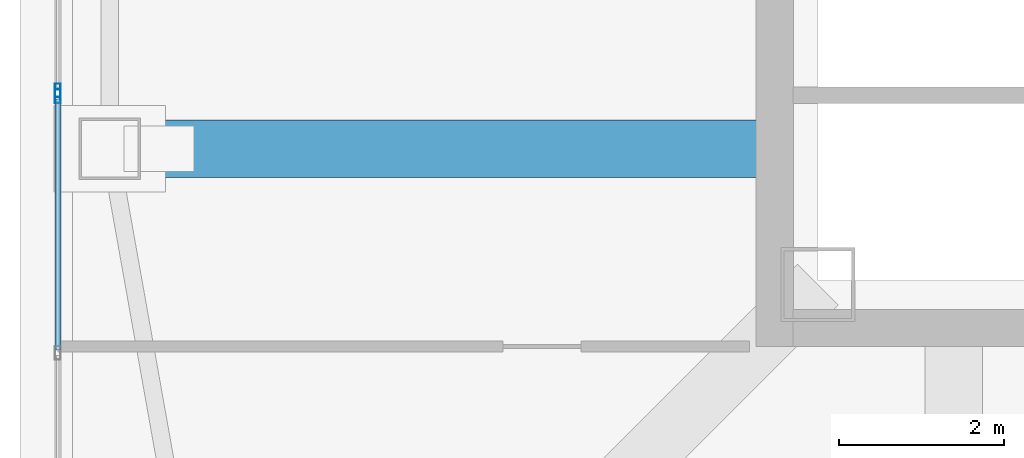
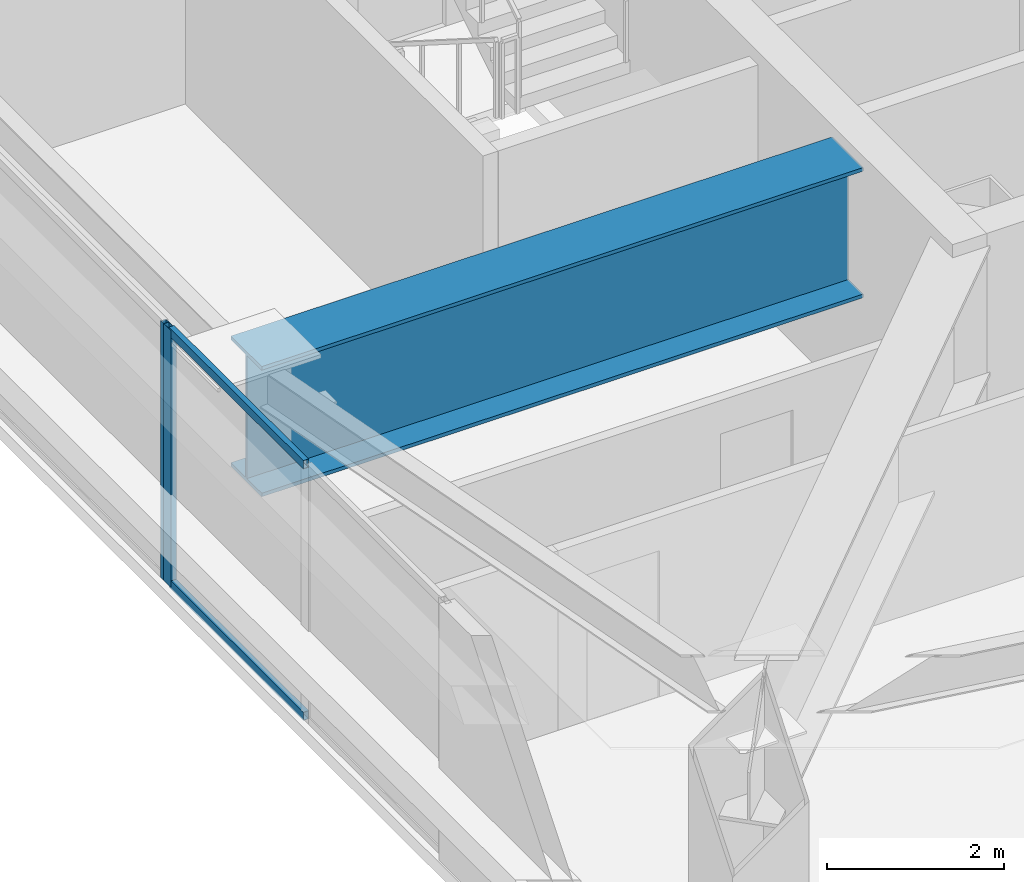
# One storey, part 4 of 40: 4 members, 1 beam, 2 elements without a shape of their own.
"""IFC4 building model written with IfcOpenShell, lengths in metres."""

from ifc_helpers import new_model, si_unit, direction, frame, origin, origin_2d, place, context, subcontext, project, spatial, hollow_rectangle, i_section, extrude, material, material_profile, profile_set, type_object, element, aggregate, save


model = new_model("IFC4")

# Units and contexts
model_context = context("Model", 3, precision=1e-05, world=origin(), true_north=direction((0.0, 1.0)))
body_context = subcontext(model_context, "Body", "Model", "MODEL_VIEW")
ifc_project = project(units=[si_unit("LENGTHUNIT", "METRE"), si_unit("AREAUNIT", "SQUARE_METRE"), si_unit("VOLUMEUNIT", "CUBIC_METRE"), si_unit("PLANEANGLEUNIT", "RADIAN"), si_unit("MASSUNIT", "GRAM", prefix="KILO")], contexts=[model_context])

# Site, building, storey
site_placement = place(None, origin())
site = spatial("IfcSite", under=ifc_project, at=site_placement, CompositionType="ELEMENT")
building_placement = place(site_placement, origin())
building = spatial("IfcBuilding", under=site, at=building_placement, Name="Tashvorn Skyway Center", CompositionType="ELEMENT")
storey_placement = place(building_placement, frame((0.0, 0.0, 229.050048828125)))
storey = spatial("IfcBuildingStorey", under=building, at=storey_placement, Name="L62", CompositionType="ELEMENT", Elevation=229.050048828125)

# Beam
ifc_material_1 = material(Name="Steel ASTM A572 Grade 50", Category="steel")
ifc_material_profile_1 = material_profile(ifc_material_1, i_section(OverallWidth=0.699951171875, OverallDepth=1.800048828125, WebThickness=0.031982421875, FlangeThickness=0.050048828125, at=origin_2d()), Name="PG1800x700")
ifc_profile_set_1 = profile_set([ifc_material_profile_1], Name="Steel ASTM A572 Grade 50")
beam_type = type_object("IfcBeamType", Name="BM-BEAM-PG1800x700", PredefinedType="BEAM", material=ifc_profile_set_1)
beam_placement = place(storey_placement, frame((26.35009765625, 26.60009765625, 2.469970703125), z_axis=(1.0, 0.0, 0.0), x_axis=(0.0, 1.0, 0.0)))
element("IfcBeam", 1, at=beam_placement, inside=storey, type_object=beam_type, Name="Tower 1 L62 Setback Transfer Girder FC-W2", PredefinedType="BEAM", context=body_context, shape_type="SweptSolid", body=[
    extrude(i_section(OverallWidth=0.699951171875, OverallDepth=1.800048828125, WebThickness=0.031982421875, FlangeThickness=0.050048828125, at=origin_2d()), origin(), (0.0, 0.0, 1.0), 7.869873046875),
])

# Curtain wall, member
ifc_material_2 = material(Name="Thermally broken bronze-anodized aluminium 6063-T6", Category="aluminium")
curtain_wall_type = type_object("IfcCurtainWallType", Name="CW-CW-Z5", PredefinedType="NOTDEFINED", material=ifc_material_2)
curtain_wall_1_placement = place(storey_placement, origin())
curtain_wall_1 = element("IfcCurtainWall", 2, at=curtain_wall_1_placement, inside=storey, type_object=curtain_wall_type, Name="Tower 1 L62 West Unitised Curtain Wall Glazing Group 1", PredefinedType="NOTDEFINED")
ifc_material_profile_2 = material_profile(ifc_material_2, hollow_rectangle(XDim=0.070068359375, YDim=0.1650390625, WallThickness=0.00390625, at=origin_2d()), Name="ALU-MULL-70x165")
ifc_profile_set_2 = profile_set([ifc_material_profile_2], Name="Thermally broken bronze-anodized aluminium 6063-T6")
member_type_1 = type_object("IfcMemberType", Name="CWM-CW-Z5", PredefinedType="MULLION", material=ifc_profile_set_2)
member_1_placement = place(storey_placement, frame((25.719970703125, 27.23828125, 0.0), z_axis=(0.0, 0.0, 1.0), x_axis=(-1.0, 0.0, 0.0)))
member_1 = element("IfcMember", 3, at=member_1_placement, type_object=member_type_1, Name="CW-Z5 mullion 3", PredefinedType="MULLION", context=body_context, shape_type="SweptSolid", body=[
    extrude(hollow_rectangle(XDim=0.070068359375, YDim=0.1650390625, WallThickness=0.00390625, at=origin_2d()), origin(), (0.0, 0.0, 1.0), 3.550048828125),
])

curtain_wall_2_placement = place(storey_placement, origin())
curtain_wall_2 = element("IfcCurtainWall", 4, at=curtain_wall_2_placement, inside=storey, type_object=curtain_wall_type, Name="Tower 1 L62 West Unitised Curtain Wall Glazing Group 2", PredefinedType="NOTDEFINED")
member_2_placement = place(storey_placement, frame((25.719970703125, 27.308349609375, 0.0), z_axis=(0.0, 0.0, 1.0), x_axis=(-1.0, 0.0, 0.0)))
member_2 = element("IfcMember", 5, at=member_2_placement, type_object=member_type_1, Name="CW-Z5 mullion 1", PredefinedType="MULLION", context=body_context, shape_type="SweptSolid", body=[
    extrude(hollow_rectangle(XDim=0.070068359375, YDim=0.1650390625, WallThickness=0.00390625, at=origin_2d()), origin(), (0.0, 0.0, 1.0), 3.550048828125),
])
aggregate(curtain_wall_2, [member_2])

# Member
ifc_material_profile_3 = material_profile(ifc_material_2, hollow_rectangle(XDim=0.070068359375, YDim=0.114990234375, WallThickness=0.00390625, at=origin_2d()), Name="ALU-TRAN-70x115")
ifc_profile_set_3 = profile_set([ifc_material_profile_3], Name="Thermally broken bronze-anodized aluminium 6063-T6")
member_type_2 = type_object("IfcMemberType", Name="CWT-CW-Z5", PredefinedType="USERDEFINED", material=ifc_profile_set_3)
member_3_placement = place(storey_placement, frame((25.719970703125, 24.1572265625, 0.034912109375), z_axis=(0.0, 1.0, 0.0), x_axis=(-1.0, 0.0, 0.0)))
member_3 = element("IfcMember", 6, at=member_3_placement, type_object=member_type_2, Name="CW-Z5 transom 2.1", ObjectType="TRANSOM", PredefinedType="USERDEFINED", context=body_context, shape_type="SweptSolid", body=[
    extrude(hollow_rectangle(XDim=0.070068359375, YDim=0.114990234375, WallThickness=0.00390625, at=origin_2d()), origin(), (0.0, 0.0, 1.0), 3.046142578125),
])

member_4_placement = place(storey_placement, frame((25.719970703125, 24.1572265625, 3.514892578125), z_axis=(0.0, 1.0, 0.0), x_axis=(-1.0, 0.0, 0.0)))
member_4 = element("IfcMember", 7, at=member_4_placement, type_object=member_type_2, Name="CW-Z5 transom 2.2", ObjectType="TRANSOM", PredefinedType="USERDEFINED", context=body_context, shape_type="SweptSolid", body=[
    extrude(hollow_rectangle(XDim=0.070068359375, YDim=0.114990234375, WallThickness=0.00390625, at=origin_2d()), origin(), (0.0, 0.0, 1.0), 3.046142578125),
])

aggregate(curtain_wall_1, [member_1, member_3, member_4])

save(model, "model.ifc")
